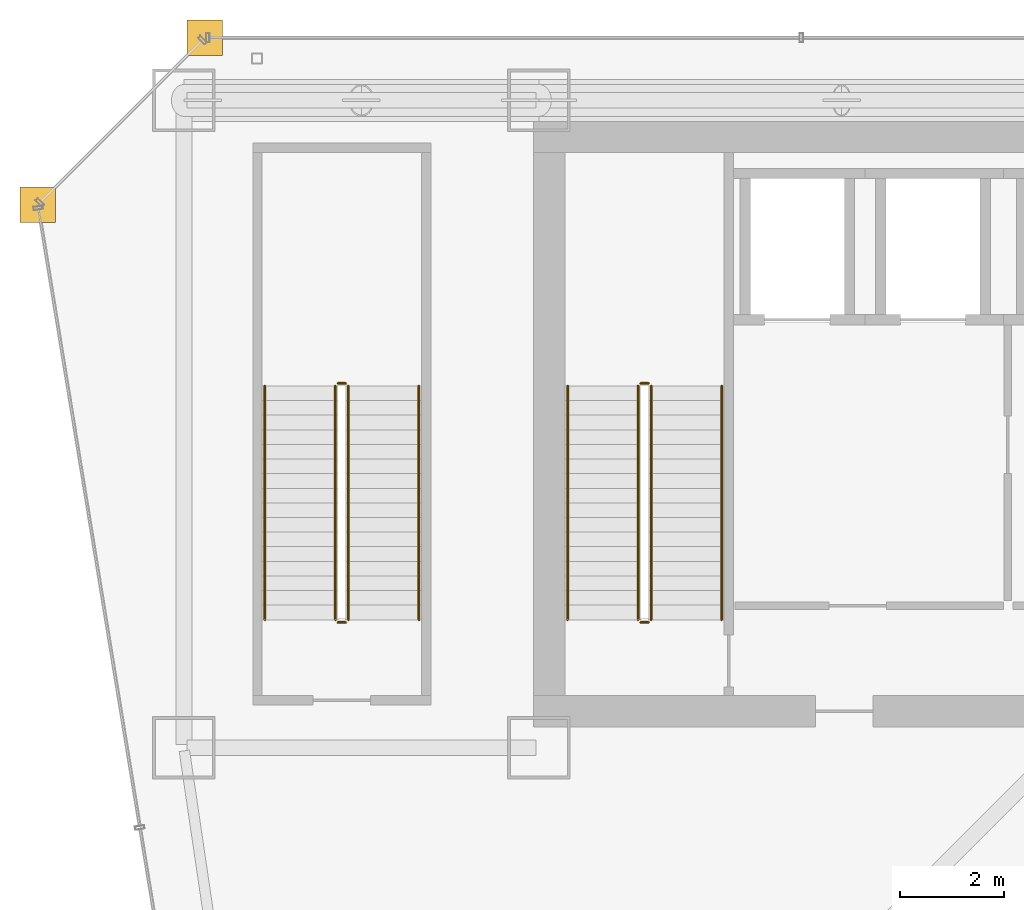
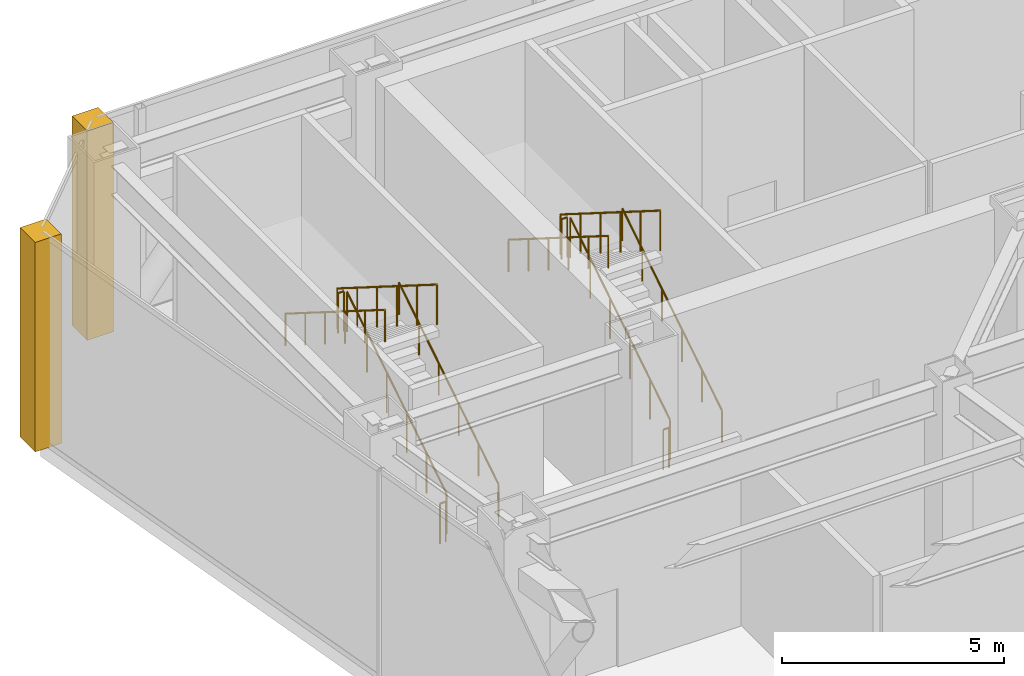
# One storey, part 34 of 35: 12 railings, 2 coverings.
"""IFC4 building model written with IfcOpenShell, lengths in metres."""

import ifcopenshell
import ifcopenshell.guid

model = None  # the IFC model being written
_history = None  # IfcOwnerHistory: only IFC2X3 demands one
_inside = {}  # id of a spatial element -> (the spatial element, [elements in it])
_under = {}  # id of a project, library or spatial element -> (it, [spatial elements below it])
_declared = {}  # id of a project -> (the project, [libraries it declares])
_typed = {}  # id of a type object -> (the type object, [elements of that type])
_made_of = {}  # id of a material, layer set ... -> (it, [elements and type objects made of it])


def new_model(schema):
    """Start an empty IFC model of exactly this schema.

    Asked for "IFC4X3", IfcOpenShell would pick the latest addendum, in which some entities
    have other attributes; the version numbers below select the first issue.
    IFC2X3 requires an IfcOwnerHistory on every rooted entity: one is made here for all.
    """
    global model, _history
    if schema == "IFC4X3":
        model = ifcopenshell.file(schema_version=(4, 3, 0, 0))
    else:
        model = ifcopenshell.file(schema=schema)
    _inside.clear()
    _under.clear()
    _declared.clear()
    _typed.clear()
    _made_of.clear()
    _history = None
    if model.schema == "IFC2X3":
        org = make("IfcOrganization", Name="unknown")
        user = make(
            "IfcPersonAndOrganization",
            ThePerson=make("IfcPerson", FamilyName="unknown"),
            TheOrganization=org,
        )
        app = make(
            "IfcApplication",
            ApplicationDeveloper=org,
            Version="unknown",
            ApplicationFullName="unknown",
            ApplicationIdentifier="unknown",
        )
        _history = make(
            "IfcOwnerHistory",
            OwningUser=user,
            OwningApplication=app,
            ChangeAction="ADDED",
            CreationDate=0,
        )
    return model


def make(cls, **values):
    """One entity of the class cls with the attributes given. An attribute that is None is left unset."""
    return model.create_entity(
        cls, **{name: value for name, value in values.items() if value is not None}
    )


def rooted(cls, **values):
    """An entity with a GlobalId (a new one), such as an element, a storey or a relation."""
    return make(cls, GlobalId=ifcopenshell.guid.new(), OwnerHistory=_history, **values)


def si_unit(unit_type, name, prefix=None):
    """IfcSIUnit, for example si_unit("LENGTHUNIT", "METRE", prefix="MILLI")."""
    return make("IfcSIUnit", UnitType=unit_type, Prefix=prefix, Name=name)


def assignment(units):
    """IfcUnitAssignment: the units of a project."""
    return None if units is None else make("IfcUnitAssignment", Units=units)


def point(xyz):
    """IfcCartesianPoint."""
    return None if xyz is None else make("IfcCartesianPoint", Coordinates=xyz)


def direction(xyz):
    """IfcDirection."""
    return None if xyz is None else make("IfcDirection", DirectionRatios=xyz)


def frame(location, z_axis=None, x_axis=None):
    """IfcAxis2Placement3D, a coordinate frame: its origin and axes. An axis left out is left unset."""
    return make(
        "IfcAxis2Placement3D",
        Location=point(location),
        Axis=direction(z_axis),
        RefDirection=direction(x_axis),
    )


def frame_2d(location, x_axis=None):
    """IfcAxis2Placement2D, a coordinate frame in the plane: its origin and x axis."""
    return make(
        "IfcAxis2Placement2D", Location=point(location), RefDirection=direction(x_axis)
    )


def origin():
    """The frame at (0, 0, 0) with its axes left unset."""
    return frame((0.0, 0.0, 0.0))


def origin_2d():
    """The frame at (0, 0) in the plane with its x axis left unset."""
    return frame_2d((0.0, 0.0))


def place(relative_to, where):
    """IfcLocalPlacement: puts the frame where relative to a parent placement (None: the world)."""
    return make(
        "IfcLocalPlacement", PlacementRelTo=relative_to, RelativePlacement=where
    )


def context(
    kind, dimensions, precision=None, world=None, true_north=None, identifier=None
):
    """IfcGeometricRepresentationContext, for example the 3D "Model" context."""
    return make(
        "IfcGeometricRepresentationContext",
        ContextIdentifier=identifier,
        ContextType=kind,
        CoordinateSpaceDimension=dimensions,
        Precision=precision,
        WorldCoordinateSystem=world,
        TrueNorth=true_north,
    )


def subcontext(parent, identifier, kind, view, scale=None):
    """IfcGeometricRepresentationSubContext, for example "Body" below "Model"."""
    return make(
        "IfcGeometricRepresentationSubContext",
        ContextIdentifier=identifier,
        ContextType=kind,
        ParentContext=parent,
        TargetScale=scale,
        TargetView=view,
    )


def project(units=None, contexts=None):
    """IfcProject with its units and contexts."""
    return rooted(
        "IfcProject",
        Name="project",
        RepresentationContexts=contexts,
        UnitsInContext=assignment(units),
    )


def spatial(cls, under=None, at=None, **own):
    """A site, building, storey or space (cls), placed at a placement, below another one or the project."""
    s = rooted(cls, ObjectPlacement=at, **own)
    if under is not None:
        _under.setdefault(under.id(), (under, []))[1].append(s)
    return s


def polyline(points):
    """IfcPolyline through the points."""
    return make("IfcPolyline", Points=[point(p) for p in points])


def profile(cls, at=None, kind="AREA", **sizes):
    """A parametric profile (cls). Its sizes go by their IFC names, for example OverallWidth=200.0."""
    return make(cls, ProfileType=kind, Position=at, **sizes)


def circle(**sizes):
    """IfcCircleProfileDef."""
    return profile("IfcCircleProfileDef", **sizes)


def outline(outer, holes=None, kind="AREA"):
    """IfcArbitraryClosedProfileDef: a profile drawn as a closed curve; with holes, ...WithVoids."""
    if holes is None:
        return make("IfcArbitraryClosedProfileDef", ProfileType=kind, OuterCurve=outer)
    return make(
        "IfcArbitraryProfileDefWithVoids",
        ProfileType=kind,
        OuterCurve=outer,
        InnerCurves=holes,
    )


def extrude(swept, where, along, depth):
    """IfcExtrudedAreaSolid: the profile swept, set in the frame where, extruded along a direction by depth."""
    return make(
        "IfcExtrudedAreaSolid",
        SweptArea=swept,
        Position=where,
        ExtrudedDirection=direction(along),
        Depth=depth,
    )


def shape(context_of_items, identifier, shape_type, items):
    """IfcShapeRepresentation: the items that make up one representation, for example the "Body"."""
    return make(
        "IfcShapeRepresentation",
        ContextOfItems=context_of_items,
        RepresentationIdentifier=identifier,
        RepresentationType=shape_type,
        Items=items,
    )


def material(Name=None, Category=None):
    """IfcMaterial."""
    return make("IfcMaterial", Name=Name, Category=Category)


def layer(
    of_material, thickness, ventilated=None, Name=None, Category=None, Priority=None
):
    """IfcMaterialLayer: one layer of a wall or slab, of a material (None: an air gap)."""
    return make(
        "IfcMaterialLayer",
        Material=of_material,
        LayerThickness=thickness,
        IsVentilated=ventilated,
        Name=Name,
        Category=Category,
        Priority=Priority,
    )


def layer_set(layers, Name=None):
    """IfcMaterialLayerSet."""
    return make("IfcMaterialLayerSet", MaterialLayers=layers, LayerSetName=Name)


def made_of(thing, what):
    """Note that an element or type object is made of a material, layer set ...; save() writes the relation."""
    if what is not None:
        _made_of.setdefault(what.id(), (what, []))[1].append(thing)
    return thing


def type_object(cls, material=None, **own):
    """A type object (cls), such as IfcWallType, which elements share."""
    return made_of(rooted(cls, **own), material)


def element(
    cls,
    number,
    at=None,
    inside=None,
    cuts=None,
    type_object=None,
    material=None,
    context=None,
    identifier="Body",
    shape_type=None,
    held_by="IfcProductDefinitionShape",
    body=None,
    shapes=None,
    **own,
):
    """One element of the class cls, such as IfcWall. Its Tag is "e" and its number.

    at: its placement. inside: the storey or other place that contains it. cuts: it is an
    opening in that element (IfcRelVoidsElement). A single representation is given by context,
    identifier, shape_type and body (its items); several are given by shapes. held_by: the class
    of the entity that holds the representations. save() writes the other relations.
    """
    e = rooted(cls, Tag="e%d" % number, ObjectPlacement=at, **own)
    if body is not None:
        shapes = [shape(context, identifier, shape_type, body)]
    if shapes is not None:
        e.Representation = make(held_by, Representations=shapes)
    if inside is not None:
        _inside.setdefault(inside.id(), (inside, []))[1].append(e)
    if cuts is not None:
        rooted(
            "IfcRelVoidsElement", RelatingBuildingElement=cuts, RelatedOpeningElement=e
        )
    if type_object is not None:
        _typed.setdefault(type_object.id(), (type_object, []))[1].append(e)
    return made_of(e, material)


def aggregate(whole, parts):
    """IfcRelAggregates: a whole, such as a stair, and the parts it consists of."""
    return rooted("IfcRelAggregates", RelatingObject=whole, RelatedObjects=parts)


def save(model, path):
    """Write the relations noted so far, then the file.

    IfcRelAggregates (storeys below a building ...), IfcRelContainedInSpatialStructure (elements
    in a storey), IfcRelDefinesByType, IfcRelAssociatesMaterial and IfcRelDeclares: one each for
    every whole, place, type object, material and project.
    """
    for whole, parts in _under.values():
        aggregate(whole, parts)
    for where, things in _inside.values():
        rooted(
            "IfcRelContainedInSpatialStructure",
            RelatedElements=things,
            RelatingStructure=where,
        )
    for kind, things in _typed.values():
        rooted("IfcRelDefinesByType", RelatedObjects=things, RelatingType=kind)
    for what, things in _made_of.values():
        rooted("IfcRelAssociatesMaterial", RelatedObjects=things, RelatingMaterial=what)
    for by, libraries in _declared.values():
        rooted("IfcRelDeclares", RelatingContext=by, RelatedDefinitions=libraries)
    model.write(path)


model = new_model("IFC4")

# Units and contexts
model_context = context("Model", 3, precision=1e-05, world=origin(), true_north=direction((0.0, 1.0)))
body_context = subcontext(model_context, "Body", "Model", "MODEL_VIEW")
ifc_project = project(units=[si_unit("LENGTHUNIT", "METRE"), si_unit("AREAUNIT", "SQUARE_METRE"), si_unit("VOLUMEUNIT", "CUBIC_METRE"), si_unit("PLANEANGLEUNIT", "RADIAN"), si_unit("MASSUNIT", "GRAM", prefix="KILO")], contexts=[model_context])

# Site, building, storey
site_placement = place(None, origin())
site = spatial("IfcSite", under=ifc_project, at=site_placement, CompositionType="ELEMENT")
building_placement = place(site_placement, origin())
building = spatial("IfcBuilding", under=site, at=building_placement, Name="Saevonmaru Cultural Tower", CompositionType="ELEMENT")
storey_placement = place(building_placement, frame((0.0, 0.0, 86.800048828125)))
storey = spatial("IfcBuildingStorey", under=building, at=storey_placement, Name="L18", CompositionType="ELEMENT", Elevation=86.800048828125)

# Coverings
ifc_material_1 = material(Name="Satin Bronze Anodised Aluminium", Category="aluminium")
ifc_layer = layer(ifc_material_1, 0.679931640625, Name="Satin Bronze Anodised Aluminium")
ifc_layer_set = layer_set([ifc_layer], Name="Satin Bronze Anodised Aluminium")
covering_type = type_object("IfcCoveringType", Name="CV-CORNER-CLAD", PredefinedType="CLADDING", material=ifc_layer_set)
covering_1_placement = place(storey_placement, origin())
element("IfcCovering", 1, at=covering_1_placement, inside=storey, type_object=covering_type, Name="L18 Tower Bronze Corner Cladding Pier 11", PredefinedType="CLADDING", context=body_context, shape_type="SweptSolid", body=[
    extrude(outline(polyline([(6.860107421875, 55.659912109375), (7.5400390625, 55.659912109375), (7.5400390625, 56.340087890625), (6.860107421875, 56.340087890625), (6.860107421875, 55.659912109375)])), origin(), (0.0, 0.0, 1.0), 5.75),
])
covering_2_placement = place(storey_placement, origin())
element("IfcCovering", 2, at=covering_2_placement, inside=storey, type_object=covering_type, Name="L18 Tower Bronze Corner Cladding Pier 12", PredefinedType="CLADDING", context=body_context, shape_type="SweptSolid", body=[
    extrude(outline(polyline([(3.659912109375, 52.4599609375), (4.340087890625, 52.4599609375), (4.340087890625, 53.139892578125), (3.659912109375, 53.139892578125), (3.659912109375, 52.4599609375)])), origin(), (0.0, 0.0, 1.0), 5.75),
])

# Railings
ifc_material_2 = material(Name="Architectural Painted Steel", Category="steel")
railing_type_1 = type_object("IfcRailingType", Name="RL-STAIR-GUARD", PredefinedType="GUARDRAIL", material=ifc_material_2)
railing_1_placement = place(storey_placement, frame((15.75, 44.85009765625, 0.176513671875)))
element("IfcRailing", 3, at=railing_1_placement, inside=storey, type_object=railing_type_1, Name="L18 ST-1 stair guard 1", PredefinedType="GUARDRAIL", context=body_context, shape_type="SweptSolid", body=[
    extrude(circle(Radius=0.02392578125, at=origin_2d()), frame((0.0, 0.0, 1.09619140625), z_axis=(0.0, 0.845997938375, 0.533186166611), x_axis=(-1.0, 0.0, 0.0)), (0.0, 0.0, 1.0), 5.29541015625),
    extrude(circle(Radius=0.02099609375, at=origin_2d()), origin(), (0.0, 0.0, 1.0), 1.072021484375),
    extrude(circle(Radius=0.02099609375, at=origin_2d()), frame((0.0, 0.89599609375, 0.564697265625)), (0.0, 0.0, 1.0), 1.072021484375),
    extrude(circle(Radius=0.02099609375, at=origin_2d()), frame((0.0, 1.7919921875, 1.12939453125)), (0.0, 0.0, 1.0), 1.072021484375),
    extrude(circle(Radius=0.02099609375, at=origin_2d()), frame((0.0, 2.68798828125, 1.694091796875)), (0.0, 0.0, 1.0), 1.072021484375),
    extrude(circle(Radius=0.02099609375, at=origin_2d()), frame((0.0, 3.583984375, 2.2587890625)), (0.0, 0.0, 1.0), 1.072021484375),
    extrude(circle(Radius=0.02099609375, at=origin_2d()), frame((0.0, 4.47998046875, 2.823486328125)), (0.0, 0.0, 1.0), 1.072021484375),
])
railing_2_placement = place(storey_placement, frame((15.699951171875, 49.3798828125, 3.0)))
element("IfcRailing", 4, at=railing_2_placement, inside=storey, type_object=railing_type_1, Name="L18 ST-1 stair guard 2", PredefinedType="GUARDRAIL", context=body_context, shape_type="SweptSolid", body=[
    extrude(circle(Radius=0.02392578125, at=origin_2d()), frame((0.0, 0.0, 1.09619140625), z_axis=(-1.0, 0.0, 0.0), x_axis=(0.0, -1.0, 0.0)), (0.0, 0.0, 1.0), 0.14990234375),
    extrude(circle(Radius=0.02099609375, at=origin_2d()), origin(), (0.0, 0.0, 1.0), 1.072021484375),
    extrude(circle(Radius=0.02099609375, at=origin_2d()), frame((-0.14990234375, 0.0, 0.0)), (0.0, 0.0, 1.0), 1.072021484375),
])
railing_3_placement = place(storey_placement, frame((15.5, 49.330078125, 3.176513671875)))
element("IfcRailing", 5, at=railing_3_placement, inside=storey, type_object=railing_type_1, Name="L18 ST-1 stair guard 3", PredefinedType="GUARDRAIL", context=body_context, shape_type="SweptSolid", body=[
    extrude(circle(Radius=0.02392578125, at=origin_2d()), frame((0.0, 0.0, 1.09619140625), z_axis=(0.0, -0.845997938375, 0.533186166611), x_axis=(1.0, 0.0, 0.0)), (0.0, 0.0, 1.0), 5.29541015625),
    extrude(circle(Radius=0.02099609375, at=origin_2d()), origin(), (0.0, 0.0, 1.0), 1.072021484375),
    extrude(circle(Radius=0.02099609375, at=origin_2d()), frame((0.0, -0.89599609375, 0.564697265625)), (0.0, 0.0, 1.0), 1.072021484375),
    extrude(circle(Radius=0.02099609375, at=origin_2d()), frame((0.0, -1.7919921875, 1.12939453125)), (0.0, 0.0, 1.0), 1.072021484375),
    extrude(circle(Radius=0.02099609375, at=origin_2d()), frame((0.0, -2.68798828125, 1.694091796875)), (0.0, 0.0, 1.0), 1.072021484375),
    extrude(circle(Radius=0.02099609375, at=origin_2d()), frame((0.0, -3.583984375, 2.2587890625)), (0.0, 0.0, 1.0), 1.072021484375),
    extrude(circle(Radius=0.02099609375, at=origin_2d()), frame((0.0, -4.47998046875, 2.823486328125)), (0.0, 0.0, 1.0), 1.072021484375),
])
railing_4_placement = place(storey_placement, frame((15.699951171875, 44.800048828125, 0.0)))
element("IfcRailing", 6, at=railing_4_placement, inside=storey, type_object=railing_type_1, Name="L18 ST-1 stair guard 4", PredefinedType="GUARDRAIL", context=body_context, shape_type="SweptSolid", body=[
    extrude(circle(Radius=0.02392578125, at=origin_2d()), frame((0.0, 0.0, 1.09619140625), z_axis=(-1.0, 0.0, 0.0), x_axis=(0.0, -1.0, 0.0)), (0.0, 0.0, 1.0), 0.14990234375),
    extrude(circle(Radius=0.02099609375, at=origin_2d()), origin(), (0.0, 0.0, 1.0), 1.072021484375),
    extrude(circle(Radius=0.02099609375, at=origin_2d()), frame((-0.14990234375, 0.0, 0.0)), (0.0, 0.0, 1.0), 1.072021484375),
])
railing_5_placement = place(storey_placement, frame((9.949951171875, 44.85009765625, 0.176513671875)))
element("IfcRailing", 7, at=railing_5_placement, inside=storey, type_object=railing_type_1, Name="L18 ST-3 stair guard 1", PredefinedType="GUARDRAIL", context=body_context, shape_type="SweptSolid", body=[
    extrude(circle(Radius=0.02392578125, at=origin_2d()), frame((0.0, 0.0, 1.09619140625), z_axis=(0.0, 0.845997938375, 0.533186166611), x_axis=(-1.0, 0.0, 0.0)), (0.0, 0.0, 1.0), 5.29541015625),
    extrude(circle(Radius=0.02099609375, at=origin_2d()), origin(), (0.0, 0.0, 1.0), 1.072021484375),
    extrude(circle(Radius=0.02099609375, at=origin_2d()), frame((0.0, 0.89599609375, 0.564697265625)), (0.0, 0.0, 1.0), 1.072021484375),
    extrude(circle(Radius=0.02099609375, at=origin_2d()), frame((0.0, 1.7919921875, 1.12939453125)), (0.0, 0.0, 1.0), 1.072021484375),
    extrude(circle(Radius=0.02099609375, at=origin_2d()), frame((0.0, 2.68798828125, 1.694091796875)), (0.0, 0.0, 1.0), 1.072021484375),
    extrude(circle(Radius=0.02099609375, at=origin_2d()), frame((0.0, 3.583984375, 2.2587890625)), (0.0, 0.0, 1.0), 1.072021484375),
    extrude(circle(Radius=0.02099609375, at=origin_2d()), frame((0.0, 4.47998046875, 2.823486328125)), (0.0, 0.0, 1.0), 1.072021484375),
])
railing_6_placement = place(storey_placement, frame((9.89990234375, 49.3798828125, 3.0)))
element("IfcRailing", 8, at=railing_6_placement, inside=storey, type_object=railing_type_1, Name="L18 ST-3 stair guard 2", PredefinedType="GUARDRAIL", context=body_context, shape_type="SweptSolid", body=[
    extrude(circle(Radius=0.02392578125, at=origin_2d()), frame((0.0, 0.0, 1.09619140625), z_axis=(-1.0, 0.0, 0.0), x_axis=(0.0, -1.0, 0.0)), (0.0, 0.0, 1.0), 0.14990234375),
    extrude(circle(Radius=0.02099609375, at=origin_2d()), origin(), (0.0, 0.0, 1.0), 1.072021484375),
    extrude(circle(Radius=0.02099609375, at=origin_2d()), frame((-0.14990234375, 0.0, 0.0)), (0.0, 0.0, 1.0), 1.072021484375),
])
railing_7_placement = place(storey_placement, frame((9.699951171875, 49.330078125, 3.176513671875)))
element("IfcRailing", 9, at=railing_7_placement, inside=storey, type_object=railing_type_1, Name="L18 ST-3 stair guard 3", PredefinedType="GUARDRAIL", context=body_context, shape_type="SweptSolid", body=[
    extrude(circle(Radius=0.02392578125, at=origin_2d()), frame((0.0, 0.0, 1.09619140625), z_axis=(0.0, -0.845997938375, 0.533186166611), x_axis=(1.0, 0.0, 0.0)), (0.0, 0.0, 1.0), 5.29541015625),
    extrude(circle(Radius=0.02099609375, at=origin_2d()), origin(), (0.0, 0.0, 1.0), 1.072021484375),
    extrude(circle(Radius=0.02099609375, at=origin_2d()), frame((0.0, -0.89599609375, 0.564697265625)), (0.0, 0.0, 1.0), 1.072021484375),
    extrude(circle(Radius=0.02099609375, at=origin_2d()), frame((0.0, -1.7919921875, 1.12939453125)), (0.0, 0.0, 1.0), 1.072021484375),
    extrude(circle(Radius=0.02099609375, at=origin_2d()), frame((0.0, -2.68798828125, 1.694091796875)), (0.0, 0.0, 1.0), 1.072021484375),
    extrude(circle(Radius=0.02099609375, at=origin_2d()), frame((0.0, -3.583984375, 2.2587890625)), (0.0, 0.0, 1.0), 1.072021484375),
    extrude(circle(Radius=0.02099609375, at=origin_2d()), frame((0.0, -4.47998046875, 2.823486328125)), (0.0, 0.0, 1.0), 1.072021484375),
])
railing_8_placement = place(storey_placement, frame((9.89990234375, 44.800048828125, 0.0)))
element("IfcRailing", 10, at=railing_8_placement, inside=storey, type_object=railing_type_1, Name="L18 ST-3 stair guard 4", PredefinedType="GUARDRAIL", context=body_context, shape_type="SweptSolid", body=[
    extrude(circle(Radius=0.02392578125, at=origin_2d()), frame((0.0, 0.0, 1.09619140625), z_axis=(-1.0, 0.0, 0.0), x_axis=(0.0, -1.0, 0.0)), (0.0, 0.0, 1.0), 0.14990234375),
    extrude(circle(Radius=0.02099609375, at=origin_2d()), origin(), (0.0, 0.0, 1.0), 1.072021484375),
    extrude(circle(Radius=0.02099609375, at=origin_2d()), frame((-0.14990234375, 0.0, 0.0)), (0.0, 0.0, 1.0), 1.072021484375),
])
railing_type_2 = type_object("IfcRailingType", Name="RL-STAIR-HANDRAIL", PredefinedType="HANDRAIL", material=ifc_material_1)
railing_9_placement = place(storey_placement, frame((17.10009765625, 44.85009765625, 0.176513671875)))
element("IfcRailing", 11, at=railing_9_placement, inside=storey, type_object=railing_type_2, Name="L18 ST-1 stair handrail 1", PredefinedType="HANDRAIL", context=body_context, shape_type="SweptSolid", body=[
    extrude(circle(Radius=0.02392578125, at=origin_2d()), frame((0.0, 0.0, 0.8759765625), z_axis=(0.0, 0.845997938375, 0.533186166611), x_axis=(-1.0, 0.0, 0.0)), (0.0, 0.0, 1.0), 5.29541015625),
    extrude(circle(Radius=0.02099609375, at=origin_2d()), origin(), (0.0, 0.0, 1.0), 0.851806640625),
    extrude(circle(Radius=0.02099609375, at=origin_2d()), frame((0.0, 0.89599609375, 0.564697265625)), (0.0, 0.0, 1.0), 0.851806640625),
    extrude(circle(Radius=0.02099609375, at=origin_2d()), frame((0.0, 1.7919921875, 1.12939453125)), (0.0, 0.0, 1.0), 0.851806640625),
    extrude(circle(Radius=0.02099609375, at=origin_2d()), frame((0.0, 2.68798828125, 1.694091796875)), (0.0, 0.0, 1.0), 0.851806640625),
    extrude(circle(Radius=0.02099609375, at=origin_2d()), frame((0.0, 3.583984375, 2.2587890625)), (0.0, 0.0, 1.0), 0.851806640625),
    extrude(circle(Radius=0.02099609375, at=origin_2d()), frame((0.0, 4.47998046875, 2.823486328125)), (0.0, 0.0, 1.0), 0.851806640625),
])
railing_10_placement = place(storey_placement, frame((14.14990234375, 49.330078125, 3.176513671875)))
element("IfcRailing", 12, at=railing_10_placement, inside=storey, type_object=railing_type_2, Name="L18 ST-1 stair handrail 2", PredefinedType="HANDRAIL", context=body_context, shape_type="SweptSolid", body=[
    extrude(circle(Radius=0.02392578125, at=origin_2d()), frame((0.0, 0.0, 0.8759765625), z_axis=(0.0, -0.845997938375, 0.533186166611), x_axis=(1.0, 0.0, 0.0)), (0.0, 0.0, 1.0), 5.29541015625),
    extrude(circle(Radius=0.02099609375, at=origin_2d()), origin(), (0.0, 0.0, 1.0), 0.851806640625),
    extrude(circle(Radius=0.02099609375, at=origin_2d()), frame((0.0, -0.89599609375, 0.564697265625)), (0.0, 0.0, 1.0), 0.851806640625),
    extrude(circle(Radius=0.02099609375, at=origin_2d()), frame((0.0, -1.7919921875, 1.12939453125)), (0.0, 0.0, 1.0), 0.851806640625),
    extrude(circle(Radius=0.02099609375, at=origin_2d()), frame((0.0, -2.68798828125, 1.694091796875)), (0.0, 0.0, 1.0), 0.851806640625),
    extrude(circle(Radius=0.02099609375, at=origin_2d()), frame((0.0, -3.583984375, 2.2587890625)), (0.0, 0.0, 1.0), 0.851806640625),
    extrude(circle(Radius=0.02099609375, at=origin_2d()), frame((0.0, -4.47998046875, 2.823486328125)), (0.0, 0.0, 1.0), 0.851806640625),
])
railing_11_placement = place(storey_placement, frame((11.300048828125, 44.85009765625, 0.176513671875)))
element("IfcRailing", 13, at=railing_11_placement, inside=storey, type_object=railing_type_2, Name="L18 ST-3 stair handrail 1", PredefinedType="HANDRAIL", context=body_context, shape_type="SweptSolid", body=[
    extrude(circle(Radius=0.02392578125, at=origin_2d()), frame((0.0, 0.0, 0.8759765625), z_axis=(0.0, 0.845997938375, 0.533186166611), x_axis=(-1.0, 0.0, 0.0)), (0.0, 0.0, 1.0), 5.29541015625),
    extrude(circle(Radius=0.02099609375, at=origin_2d()), origin(), (0.0, 0.0, 1.0), 0.851806640625),
    extrude(circle(Radius=0.02099609375, at=origin_2d()), frame((0.0, 0.89599609375, 0.564697265625)), (0.0, 0.0, 1.0), 0.851806640625),
    extrude(circle(Radius=0.02099609375, at=origin_2d()), frame((0.0, 1.7919921875, 1.12939453125)), (0.0, 0.0, 1.0), 0.851806640625),
    extrude(circle(Radius=0.02099609375, at=origin_2d()), frame((0.0, 2.68798828125, 1.694091796875)), (0.0, 0.0, 1.0), 0.851806640625),
    extrude(circle(Radius=0.02099609375, at=origin_2d()), frame((0.0, 3.583984375, 2.2587890625)), (0.0, 0.0, 1.0), 0.851806640625),
    extrude(circle(Radius=0.02099609375, at=origin_2d()), frame((0.0, 4.47998046875, 2.823486328125)), (0.0, 0.0, 1.0), 0.851806640625),
])
railing_12_placement = place(storey_placement, frame((8.35009765625, 49.330078125, 3.176513671875)))
element("IfcRailing", 14, at=railing_12_placement, inside=storey, type_object=railing_type_2, Name="L18 ST-3 stair handrail 2", PredefinedType="HANDRAIL", context=body_context, shape_type="SweptSolid", body=[
    extrude(circle(Radius=0.02392578125, at=origin_2d()), frame((0.0, 0.0, 0.8759765625), z_axis=(0.0, -0.845997938375, 0.533186166611), x_axis=(1.0, 0.0, 0.0)), (0.0, 0.0, 1.0), 5.29541015625),
    extrude(circle(Radius=0.02099609375, at=origin_2d()), origin(), (0.0, 0.0, 1.0), 0.851806640625),
    extrude(circle(Radius=0.02099609375, at=origin_2d()), frame((0.0, -0.89599609375, 0.564697265625)), (0.0, 0.0, 1.0), 0.851806640625),
    extrude(circle(Radius=0.02099609375, at=origin_2d()), frame((0.0, -1.7919921875, 1.12939453125)), (0.0, 0.0, 1.0), 0.851806640625),
    extrude(circle(Radius=0.02099609375, at=origin_2d()), frame((0.0, -2.68798828125, 1.694091796875)), (0.0, 0.0, 1.0), 0.851806640625),
    extrude(circle(Radius=0.02099609375, at=origin_2d()), frame((0.0, -3.583984375, 2.2587890625)), (0.0, 0.0, 1.0), 0.851806640625),
    extrude(circle(Radius=0.02099609375, at=origin_2d()), frame((0.0, -4.47998046875, 2.823486328125)), (0.0, 0.0, 1.0), 0.851806640625),
])

save(model, "model.ifc")
